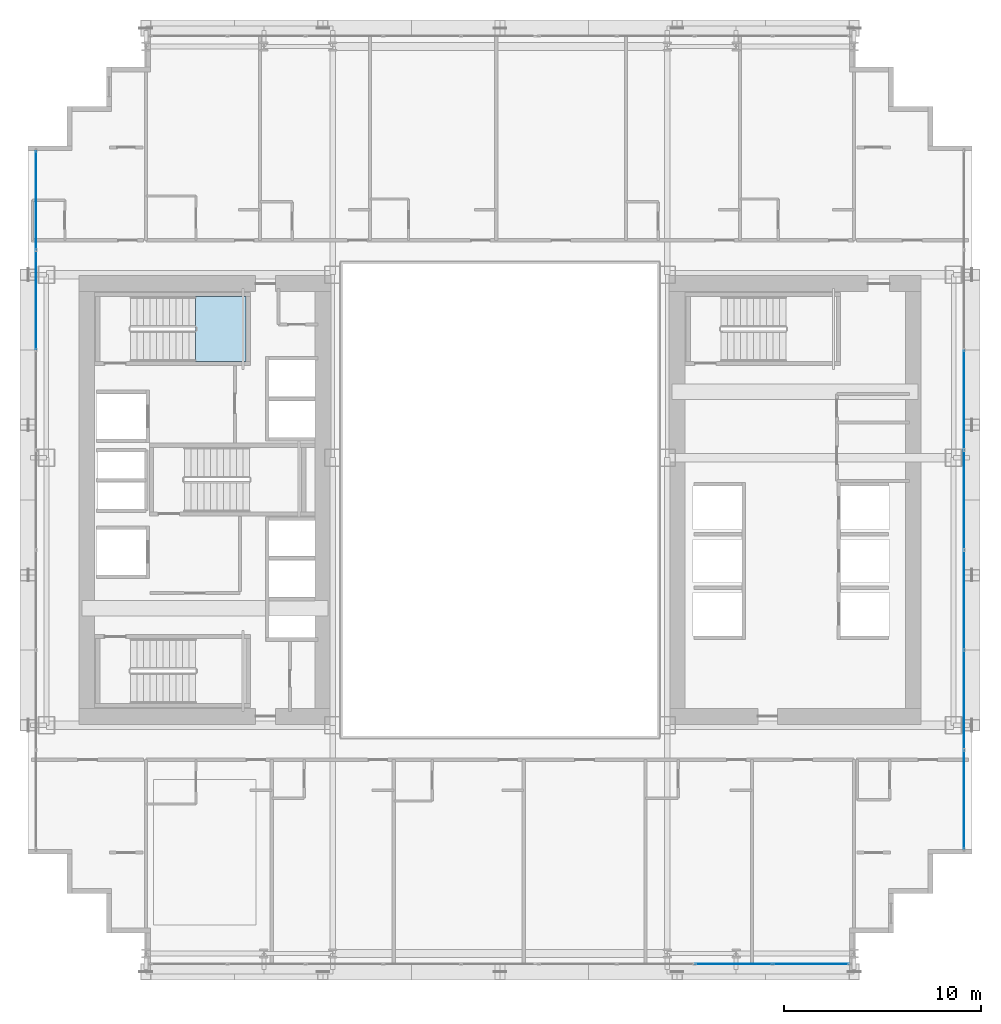
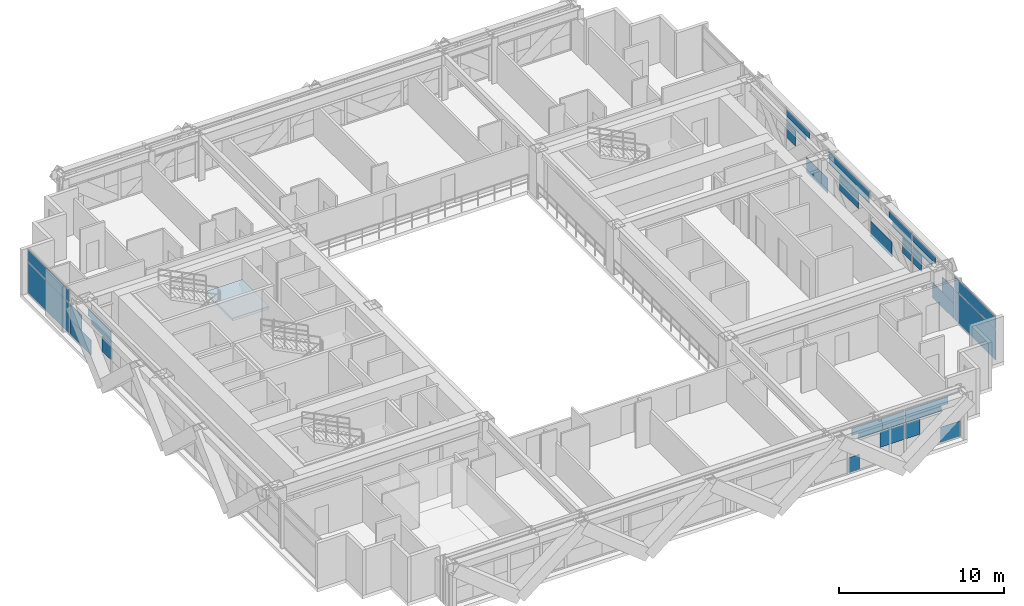
# One storey, part 26 of 38: 33 plates, 1 slab, 4 elements without a shape of their own.
"""IFC4 building model written with IfcOpenShell, lengths in metres."""

from ifc_helpers import new_model, si_unit, direction, frame, origin, origin_2d, place, context, subcontext, project, spatial, polyline, rectangle, outline, extrude, source, transform, mapped, material, layer, layer_set, type_object, element, aggregate, save


model = new_model("IFC4")

# Units and contexts
model_context = context("Model", 3, precision=1e-05, world=origin(), true_north=direction((0.0, 1.0)))
body_context = subcontext(model_context, "Body", "Model", "MODEL_VIEW")
ifc_project = project(units=[si_unit("LENGTHUNIT", "METRE"), si_unit("AREAUNIT", "SQUARE_METRE"), si_unit("VOLUMEUNIT", "CUBIC_METRE"), si_unit("PLANEANGLEUNIT", "RADIAN"), si_unit("MASSUNIT", "GRAM", prefix="KILO")], contexts=[model_context])

# Site, building, storey
site_placement = place(None, origin())
site = spatial("IfcSite", under=ifc_project, at=site_placement, CompositionType="ELEMENT")
building_placement = place(site_placement, origin())
building = spatial("IfcBuilding", under=site, at=building_placement, Name="Ocotamira Hotel", CompositionType="ELEMENT")
storey_placement = place(building_placement, frame((0.0, 0.0, 45.60009765625)))
storey = spatial("IfcBuildingStorey", under=building, at=storey_placement, Name="L10", CompositionType="ELEMENT", Elevation=45.60009765625)

# Stair, slab
ifc_material_1 = material(Name="Concrete C40/50", Category="concrete")
stair_type = type_object("IfcStairType", Name="ST-CORE-1560", PredefinedType="HALF_TURN_STAIR", material=ifc_material_1)
stair_placement = place(storey_placement, origin())
stair = element("IfcStair", 1, at=stair_placement, inside=storey, type_object=stair_type, Name="L10 Exit Stair ST-2", PredefinedType="HALF_TURN_STAIR")
ifc_layer_1 = layer(ifc_material_1, 0.199951171875)
ifc_layer_set_1 = layer_set([ifc_layer_1], Name="Concrete C40/50")
slab_type = type_object("IfcSlabType", Name="SLB-LAND-200", PredefinedType="LANDING", material=ifc_layer_set_1)
slab_placement = place(storey_placement, frame((0.0, 0.0, 1.599853515625)))
slab = element("IfcSlab", 2, at=slab_placement, type_object=slab_type, Name="ST-2 landing 1", PredefinedType="LANDING", context=body_context, shape_type="SweptSolid", body=[
    extrude(outline(polyline([(16.530029296875, 33.050048828125), (19.090087890625, 33.050048828125), (19.090087890625, 36.330078125), (16.530029296875, 36.330078125), (16.530029296875, 33.050048828125)])), origin(), (0.0, 0.0, 1.0), 0.199951171875),
])
aggregate(stair, [slab])

# Curtain wall, plate
ifc_material_2 = material(Name="Anodised pale-metal aluminium and solar glass", Category="aluminium")
ifc_layer_2 = layer(ifc_material_2, 0.179931640625)
ifc_layer_set_2 = layer_set([ifc_layer_2], Name="Anodised pale-metal aluminium and solar glass")
curtain_wall_type = type_object("IfcCurtainWallType", Name="CW-SYS2-Z1", PredefinedType="NOTDEFINED", material=ifc_layer_set_2)
curtain_wall_1_placement = place(storey_placement, origin())
curtain_wall_1 = element("IfcCurtainWall", 3, at=curtain_wall_1_placement, inside=storey, type_object=curtain_wall_type, Name="L10 Curtain Wall CW-2 CW-L10-W", PredefinedType="NOTDEFINED")
ifc_material_3 = material(Name="Double-silver low-E insulated solar glass", Category="glass")
ifc_layer_3 = layer(ifc_material_3, 0.031982421875)
ifc_layer_set_3 = layer_set([ifc_layer_3], Name="Double-silver low-E insulated solar glass")
plate_type = type_object("IfcPlateType", Name="CWP-VISION-32", PredefinedType="CURTAIN_PANEL", material=ifc_layer_set_3)
shared_shape_1 = source(origin(), body_context, "Body", "SweptSolid", [
    extrude(rectangle(XDim=4.9658203125, YDim=0.031982421875, at=origin_2d()), origin(), (0.0, 0.0, 1.0), 2.237548828125),
])
plate_1_placement = place(storey_placement, frame((8.419921875, 41.237060546875, 0.07470703125), z_axis=(0.0, 0.0, 1.0), x_axis=(0.0, 1.0, 0.0)))
plate_1 = element("IfcPlate", 4, at=plate_1_placement, type_object=plate_type, Name="CW-2 panel 7.1", PredefinedType="CURTAIN_PANEL", context=body_context, shape_type="MappedRepresentation", body=[
    mapped(shared_shape_1, transform((0.0, 0.0, 0.0), scale=1.0)),
])

curtain_wall_2_placement = place(storey_placement, origin())
curtain_wall_2 = element("IfcCurtainWall", 5, at=curtain_wall_2_placement, inside=storey, type_object=curtain_wall_type, Name="L10 Curtain Wall CW-2 CW-L10-E", PredefinedType="NOTDEFINED")
plate_2_placement = place(storey_placement, frame((55.580078125, 10.762939453125, 0.07470703125), z_axis=(0.0, 0.0, 1.0), x_axis=(0.0, 1.0, 0.0)))
plate_2 = element("IfcPlate", 6, at=plate_2_placement, type_object=plate_type, Name="CW-2 panel 1.1", PredefinedType="CURTAIN_PANEL", context=body_context, shape_type="MappedRepresentation", body=[
    mapped(shared_shape_1, transform((0.0, 0.0, 0.0), scale=1.0)),
])

# Plate
shared_shape_2 = source(origin(), body_context, "Body", "SweptSolid", [
    extrude(rectangle(XDim=4.9658203125, YDim=0.031982421875, at=origin_2d()), origin(), (0.0, 0.0, 1.0), 0.887451171875),
])
plate_3_placement = place(storey_placement, frame((8.419921875, 41.237060546875, 2.38720703125), z_axis=(0.0, 0.0, 1.0), x_axis=(0.0, 1.0, 0.0)))
plate_3 = element("IfcPlate", 7, at=plate_3_placement, type_object=plate_type, Name="CW-2 panel 7.2", PredefinedType="CURTAIN_PANEL", context=body_context, shape_type="MappedRepresentation", body=[
    mapped(shared_shape_2, transform((0.0, 0.0, 0.0), scale=1.0)),
])

plate_4_placement = place(storey_placement, frame((55.580078125, 10.762939453125, 2.38720703125), z_axis=(0.0, 0.0, 1.0), x_axis=(0.0, 1.0, 0.0)))
plate_4 = element("IfcPlate", 8, at=plate_4_placement, type_object=plate_type, Name="CW-2 panel 1.2", PredefinedType="CURTAIN_PANEL", context=body_context, shape_type="MappedRepresentation", body=[
    mapped(shared_shape_2, transform((0.0, 0.0, 0.0), scale=1.0)),
])

shared_shape_3 = source(origin(), body_context, "Body", "SweptSolid", [
    extrude(rectangle(XDim=2.27978515625, YDim=0.031982421875, at=origin_2d()), origin(), (0.0, 0.0, 1.0), 1.11865234375),
])
plate_5_placement = place(storey_placement, frame((55.580078125, 26.0, 1.193603515625), z_axis=(0.0, 0.0, 1.0), x_axis=(0.0, 1.0, 0.0)))
plate_5 = element("IfcPlate", 9, at=plate_5_placement, type_object=plate_type, Name="CW-2 panel 4.1.1", PredefinedType="CURTAIN_PANEL", context=body_context, shape_type="MappedRepresentation", body=[
    mapped(shared_shape_3, transform((0.0, 0.0, 0.0), scale=1.0)),
])

# Curtain wall, plates
curtain_wall_3_placement = place(storey_placement, origin())
curtain_wall_3 = element("IfcCurtainWall", 10, at=curtain_wall_3_placement, inside=storey, type_object=curtain_wall_type, Name="L10 Curtain Wall CW-2 CW-L10-S1", PredefinedType="NOTDEFINED")
shared_shape_4 = source(origin(), body_context, "Body", "SweptSolid", [
    extrude(rectangle(XDim=1.012451171875, YDim=0.031982421875, at=origin_2d()), origin(), (0.0, 0.0, 1.0), 1.11865234375),
])
plate_6_placement = place(storey_placement, frame((46.390625, 2.419921875, 1.193603515625), z_axis=(0.0, 0.0, 1.0), x_axis=(1.0, 0.0, 0.0)))
plate_6 = element("IfcPlate", 11, at=plate_6_placement, type_object=plate_type, Name="CW-2 panel 9.1.1", PredefinedType="CURTAIN_PANEL", context=body_context, shape_type="MappedRepresentation", body=[
    mapped(shared_shape_4, transform((0.0, 0.0, 0.0), scale=1.0)),
])
shared_shape_5 = source(origin(), body_context, "Body", "SweptSolid", [
    extrude(rectangle(XDim=2.9755859375, YDim=0.031982421875, at=origin_2d()), origin(), (0.0, 0.0, 1.0), 0.5107421875),
])
plate_7_placement = place(storey_placement, frame((47.372314453125, 2.419921875, 2.76416015625), z_axis=(0.0, 0.0, 1.0), x_axis=(1.0, 0.0, 0.0)))
plate_7 = element("IfcPlate", 12, at=plate_7_placement, type_object=plate_type, Name="CW-2 panel 9.2.2", PredefinedType="CURTAIN_PANEL", context=body_context, shape_type="MappedRepresentation", body=[
    mapped(shared_shape_5, transform((0.0, 0.0, 0.0), scale=1.0)),
])
shared_shape_6 = source(origin(), body_context, "Body", "SweptSolid", [
    extrude(rectangle(XDim=2.504638671875, YDim=0.031982421875, at=origin_2d()), origin(), (0.0, 0.0, 1.0), 0.345458984375),
])
plate_8_placement = place(storey_placement, frame((47.13671875, 2.419921875, 2.38720703125), z_axis=(0.0, 0.0, 1.0), x_axis=(1.0, 0.0, 0.0)))
plate_8 = element("IfcPlate", 13, at=plate_8_placement, type_object=plate_type, Name="CW-2 panel 9.2.1", PredefinedType="CURTAIN_PANEL", context=body_context, shape_type="MappedRepresentation", body=[
    mapped(shared_shape_6, transform((0.0, 0.0, 0.0), scale=1.0)),
])
shared_shape_7 = source(origin(), body_context, "Body", "SweptSolid", [
    extrude(rectangle(XDim=1.701416015625, YDim=0.031982421875, at=origin_2d()), origin(), (0.0, 0.0, 1.0), 1.11865234375),
])
plate_9_placement = place(storey_placement, frame((44.953857421875, 2.419921875, 1.193603515625), z_axis=(0.0, 0.0, 1.0), x_axis=(1.0, 0.0, 0.0)))
plate_9 = element("IfcPlate", 14, at=plate_9_placement, type_object=plate_type, Name="CW-2 panel 8.1.2", PredefinedType="CURTAIN_PANEL", context=body_context, shape_type="MappedRepresentation", body=[
    mapped(shared_shape_7, transform((0.0, 0.0, 0.0), scale=1.0)),
])
shared_shape_8 = source(origin(), body_context, "Body", "SweptSolid", [
    extrude(rectangle(XDim=3.193603515625, YDim=0.031982421875, at=origin_2d()), origin(), (0.0, 0.0, 1.0), 0.376708984375),
])
plate_10_placement = place(storey_placement, frame((44.207763671875, 2.419921875, 2.38720703125), z_axis=(0.0, 0.0, 1.0), x_axis=(1.0, 0.0, 0.0)))
plate_10 = element("IfcPlate", 15, at=plate_10_placement, type_object=plate_type, Name="CW-2 panel 8.2.2", PredefinedType="CURTAIN_PANEL", context=body_context, shape_type="MappedRepresentation", body=[
    mapped(shared_shape_8, transform((0.0, 0.0, 0.0), scale=1.0)),
])
shared_shape_9 = source(origin(), body_context, "Body", "SweptSolid", [
    extrude(rectangle(XDim=3.664306640625, YDim=0.031982421875, at=origin_2d()), origin(), (0.0, 0.0, 1.0), 0.5107421875),
])
plate_11_placement = place(storey_placement, frame((43.972412109375, 2.419921875, 2.76416015625), z_axis=(0.0, 0.0, 1.0), x_axis=(1.0, 0.0, 0.0)))
plate_11 = element("IfcPlate", 16, at=plate_11_placement, type_object=plate_type, Name="CW-2 panel 8.2.1", PredefinedType="CURTAIN_PANEL", context=body_context, shape_type="MappedRepresentation", body=[
    mapped(shared_shape_9, transform((0.0, 0.0, 0.0), scale=1.0)),
])

# Plate
shared_shape_10 = source(origin(), body_context, "Body", "SweptSolid", [
    extrude(rectangle(XDim=1.4033203125, YDim=0.031982421875, at=origin_2d()), origin(), (0.0, 0.0, 1.0), 1.11865234375),
])
plate_12_placement = place(storey_placement, frame((8.419921875, 37.97265625, 1.193603515625), z_axis=(0.0, 0.0, 1.0), x_axis=(0.0, 1.0, 0.0)))
plate_12 = element("IfcPlate", 17, at=plate_12_placement, type_object=plate_type, Name="CW-2 panel 6.1.3", PredefinedType="CURTAIN_PANEL", context=body_context, shape_type="MappedRepresentation", body=[
    mapped(shared_shape_10, transform((0.0, 0.0, 0.0), scale=1.0)),
])

plate_13_placement = place(storey_placement, frame((55.580078125, 14.02734375, 1.193603515625), z_axis=(0.0, 0.0, 1.0), x_axis=(0.0, 1.0, 0.0)))
plate_13 = element("IfcPlate", 18, at=plate_13_placement, type_object=plate_type, Name="CW-2 panel 2.1.2", PredefinedType="CURTAIN_PANEL", context=body_context, shape_type="MappedRepresentation", body=[
    mapped(shared_shape_10, transform((0.0, 0.0, 0.0), scale=1.0)),
])

shared_shape_11 = source(origin(), body_context, "Body", "SweptSolid", [
    extrude(rectangle(XDim=1.104736328125, YDim=0.031982421875, at=origin_2d()), origin(), (0.0, 0.0, 1.0), 1.11865234375),
])
plate_14_placement = place(storey_placement, frame((8.419921875, 34.220947265625, 1.193603515625), z_axis=(0.0, 0.0, 1.0), x_axis=(0.0, 1.0, 0.0)))
plate_14 = element("IfcPlate", 19, at=plate_14_placement, type_object=plate_type, Name="CW-2 panel 6.1.1", PredefinedType="CURTAIN_PANEL", context=body_context, shape_type="MappedRepresentation", body=[
    mapped(shared_shape_11, transform((0.0, 0.0, 0.0), scale=1.0)),
])

plate_15_placement = place(storey_placement, frame((55.580078125, 17.779052734375, 1.193603515625), z_axis=(0.0, 0.0, 1.0), x_axis=(0.0, 1.0, 0.0)))
plate_15 = element("IfcPlate", 20, at=plate_15_placement, type_object=plate_type, Name="CW-2 panel 2.1.3", PredefinedType="CURTAIN_PANEL", context=body_context, shape_type="MappedRepresentation", body=[
    mapped(shared_shape_11, transform((0.0, 0.0, 0.0), scale=1.0)),
])

shared_shape_12 = source(origin(), body_context, "Body", "SweptSolid", [
    extrude(rectangle(XDim=2.796630859375, YDim=0.031982421875, at=origin_2d()), origin(), (0.0, 0.0, 1.0), 0.485107421875),
])
plate_16_placement = place(storey_placement, frame((8.419921875, 35.06689453125, 2.78955078125), z_axis=(0.0, 0.0, 1.0), x_axis=(0.0, 1.0, 0.0)))
plate_16 = element("IfcPlate", 21, at=plate_16_placement, type_object=plate_type, Name="CW-2 panel 6.2.2", PredefinedType="CURTAIN_PANEL", context=body_context, shape_type="MappedRepresentation", body=[
    mapped(shared_shape_12, transform((0.0, 0.0, 0.0), scale=1.0)),
])

plate_17_placement = place(storey_placement, frame((55.580078125, 16.93310546875, 2.78955078125), z_axis=(0.0, 0.0, 1.0), x_axis=(0.0, 1.0, 0.0)))
plate_17 = element("IfcPlate", 22, at=plate_17_placement, type_object=plate_type, Name="CW-2 panel 2.2.1", PredefinedType="CURTAIN_PANEL", context=body_context, shape_type="MappedRepresentation", body=[
    mapped(shared_shape_12, transform((0.0, 0.0, 0.0), scale=1.0)),
])

shared_shape_13 = source(origin(), body_context, "Body", "SweptSolid", [
    extrude(rectangle(XDim=2.3701171875, YDim=0.031982421875, at=origin_2d()), origin(), (0.0, 0.0, 1.0), 0.367919921875),
])
plate_18_placement = place(storey_placement, frame((8.419921875, 34.853759765625, 2.38720703125), z_axis=(0.0, 0.0, 1.0), x_axis=(0.0, 1.0, 0.0)))
plate_18 = element("IfcPlate", 23, at=plate_18_placement, type_object=plate_type, Name="CW-2 panel 6.2.1", PredefinedType="CURTAIN_PANEL", context=body_context, shape_type="MappedRepresentation", body=[
    mapped(shared_shape_13, transform((0.0, 0.0, 0.0), scale=1.0)),
])

plate_19_placement = place(storey_placement, frame((55.580078125, 17.146240234375, 2.38720703125), z_axis=(0.0, 0.0, 1.0), x_axis=(0.0, 1.0, 0.0)))
plate_19 = element("IfcPlate", 24, at=plate_19_placement, type_object=plate_type, Name="CW-2 panel 2.2.2", PredefinedType="CURTAIN_PANEL", context=body_context, shape_type="MappedRepresentation", body=[
    mapped(shared_shape_13, transform((0.0, 0.0, 0.0), scale=1.0)),
])

shared_shape_14 = source(origin(), body_context, "Body", "SweptSolid", [
    extrude(rectangle(XDim=1.094970703125, YDim=0.031982421875, at=origin_2d()), origin(), (0.0, 0.0, 1.0), 1.11865234375),
])
plate_20_placement = place(storey_placement, frame((55.580078125, 18.958984375, 1.193603515625), z_axis=(0.0, 0.0, 1.0), x_axis=(0.0, 1.0, 0.0)))
plate_20 = element("IfcPlate", 25, at=plate_20_placement, type_object=plate_type, Name="CW-2 panel 3.1.1", PredefinedType="CURTAIN_PANEL", context=body_context, shape_type="MappedRepresentation", body=[
    mapped(shared_shape_14, transform((0.0, 0.0, 0.0), scale=1.0)),
])

plate_21_placement = place(storey_placement, frame((55.580078125, 33.041015625, 1.193603515625), z_axis=(0.0, 0.0, 1.0), x_axis=(0.0, 1.0, 0.0)))
plate_21 = element("IfcPlate", 26, at=plate_21_placement, type_object=plate_type, Name="CW-2 panel 5.1.2", PredefinedType="CURTAIN_PANEL", context=body_context, shape_type="MappedRepresentation", body=[
    mapped(shared_shape_14, transform((0.0, 0.0, 0.0), scale=1.0)),
])

shared_shape_15 = source(origin(), body_context, "Body", "SweptSolid", [
    extrude(rectangle(XDim=2.360595703125, YDim=0.031982421875, at=origin_2d()), origin(), (0.0, 0.0, 1.0), 0.367919921875),
])
plate_22_placement = place(storey_placement, frame((55.580078125, 19.591796875, 2.38720703125), z_axis=(0.0, 0.0, 1.0), x_axis=(0.0, 1.0, 0.0)))
plate_22 = element("IfcPlate", 27, at=plate_22_placement, type_object=plate_type, Name="CW-2 panel 3.2.1", PredefinedType="CURTAIN_PANEL", context=body_context, shape_type="MappedRepresentation", body=[
    mapped(shared_shape_15, transform((0.0, 0.0, 0.0), scale=1.0)),
])

plate_23_placement = place(storey_placement, frame((55.580078125, 32.408203125, 2.38720703125), z_axis=(0.0, 0.0, 1.0), x_axis=(0.0, 1.0, 0.0)))
plate_23 = element("IfcPlate", 28, at=plate_23_placement, type_object=plate_type, Name="CW-2 panel 5.2.2", PredefinedType="CURTAIN_PANEL", context=body_context, shape_type="MappedRepresentation", body=[
    mapped(shared_shape_15, transform((0.0, 0.0, 0.0), scale=1.0)),
])

shared_shape_16 = source(origin(), body_context, "Body", "SweptSolid", [
    extrude(rectangle(XDim=2.787109375, YDim=0.031982421875, at=origin_2d()), origin(), (0.0, 0.0, 1.0), 0.485107421875),
])
plate_24_placement = place(storey_placement, frame((55.580078125, 19.804931640625, 2.78955078125), z_axis=(0.0, 0.0, 1.0), x_axis=(0.0, 1.0, 0.0)))
plate_24 = element("IfcPlate", 29, at=plate_24_placement, type_object=plate_type, Name="CW-2 panel 3.2.2", PredefinedType="CURTAIN_PANEL", context=body_context, shape_type="MappedRepresentation", body=[
    mapped(shared_shape_16, transform((0.0, 0.0, 0.0), scale=1.0)),
])

plate_25_placement = place(storey_placement, frame((55.580078125, 32.195068359375, 2.78955078125), z_axis=(0.0, 0.0, 1.0), x_axis=(0.0, 1.0, 0.0)))
plate_25 = element("IfcPlate", 30, at=plate_25_placement, type_object=plate_type, Name="CW-2 panel 5.2.1", PredefinedType="CURTAIN_PANEL", context=body_context, shape_type="MappedRepresentation", body=[
    mapped(shared_shape_16, transform((0.0, 0.0, 0.0), scale=1.0)),
])

shared_shape_17 = source(origin(), body_context, "Body", "SweptSolid", [
    extrude(rectangle(XDim=5.005615234375, YDim=0.031982421875, at=origin_2d()), origin(), (0.0, 0.0, 1.0), 0.485107421875),
])
plate_26_placement = place(storey_placement, frame((55.580078125, 26.0, 2.78955078125), z_axis=(0.0, 0.0, 1.0), x_axis=(0.0, 1.0, 0.0)))
plate_26 = element("IfcPlate", 31, at=plate_26_placement, type_object=plate_type, Name="CW-2 panel 4.2.1", PredefinedType="CURTAIN_PANEL", context=body_context, shape_type="MappedRepresentation", body=[
    mapped(shared_shape_17, transform((0.0, 0.0, 0.0), scale=1.0)),
])

shared_shape_18 = source(origin(), body_context, "Body", "SweptSolid", [
    extrude(rectangle(XDim=4.81103515625, YDim=0.031982421875, at=origin_2d()), origin(), (0.0, 0.0, 1.0), 0.40234375),
])
plate_27_placement = place(storey_placement, frame((55.580078125, 26.0, 2.387451171875), z_axis=(0.0, 0.0, 1.0), x_axis=(0.0, 1.0, 0.0)))
plate_27 = element("IfcPlate", 32, at=plate_27_placement, type_object=plate_type, Name="CW-2 panel 4.2.2", PredefinedType="CURTAIN_PANEL", context=body_context, shape_type="MappedRepresentation", body=[
    mapped(shared_shape_18, transform((0.0, 0.0, 0.0), scale=1.0)),
])

shared_shape_19 = source(origin(), body_context, "Body", "SweptSolid", [
    extrude(rectangle(XDim=1.382568359375, YDim=0.031982421875, at=origin_2d()), origin(), (0.0, 0.0, 1.0), 1.118896484375),
])
plate_28_placement = place(storey_placement, frame((49.02880859375, 2.419921875, 0.07470703125), z_axis=(0.0, 0.0, 1.0), x_axis=(1.0, 0.0, 0.0)))
plate_28 = element("IfcPlate", 33, at=plate_28_placement, type_object=plate_type, Name="CW-2 panel 9.1.2", PredefinedType="CURTAIN_PANEL", context=body_context, shape_type="MappedRepresentation", body=[
    mapped(shared_shape_19, transform((0.0, 0.0, 0.0), scale=1.0)),
])

shared_shape_20 = source(origin(), body_context, "Body", "SweptSolid", [
    extrude(rectangle(XDim=0.733642578125, YDim=0.031982421875, at=origin_2d()), origin(), (0.0, 0.0, 1.0), 1.118896484375),
])
plate_29_placement = place(storey_placement, frame((42.295654296875, 2.419921875, 0.07470703125), z_axis=(0.0, 0.0, 1.0), x_axis=(1.0, 0.0, 0.0)))
plate_29 = element("IfcPlate", 34, at=plate_29_placement, type_object=plate_type, Name="CW-2 panel 8.1.1", PredefinedType="CURTAIN_PANEL", context=body_context, shape_type="MappedRepresentation", body=[
    mapped(shared_shape_20, transform((0.0, 0.0, 0.0), scale=1.0)),
])

aggregate(curtain_wall_3, [plate_29, plate_9, plate_11, plate_10, plate_6, plate_28, plate_8, plate_7])

shared_shape_21 = source(origin(), body_context, "Body", "SweptSolid", [
    extrude(rectangle(XDim=2.58935546875, YDim=0.031982421875, at=origin_2d()), origin(), (0.0, 0.0, 1.0), 1.118896484375),
])
plate_30_placement = place(storey_placement, frame((8.419921875, 37.379638671875, 0.07470703125), z_axis=(0.0, 0.0, 1.0), x_axis=(0.0, 1.0, 0.0)))
plate_30 = element("IfcPlate", 35, at=plate_30_placement, type_object=plate_type, Name="CW-2 panel 6.1.2", PredefinedType="CURTAIN_PANEL", context=body_context, shape_type="MappedRepresentation", body=[
    mapped(shared_shape_21, transform((0.0, 0.0, 0.0), scale=1.0)),
])

aggregate(curtain_wall_1, [plate_14, plate_30, plate_12, plate_18, plate_16, plate_1, plate_3])

plate_31_placement = place(storey_placement, frame((55.580078125, 14.620361328125, 0.07470703125), z_axis=(0.0, 0.0, 1.0), x_axis=(0.0, 1.0, 0.0)))
plate_31 = element("IfcPlate", 36, at=plate_31_placement, type_object=plate_type, Name="CW-2 panel 2.1.1", PredefinedType="CURTAIN_PANEL", context=body_context, shape_type="MappedRepresentation", body=[
    mapped(shared_shape_21, transform((0.0, 0.0, 0.0), scale=1.0)),
])

shared_shape_22 = source(origin(), body_context, "Body", "SweptSolid", [
    extrude(rectangle(XDim=2.59912109375, YDim=0.031982421875, at=origin_2d()), origin(), (0.0, 0.0, 1.0), 1.118896484375),
])
plate_32_placement = place(storey_placement, frame((55.580078125, 22.11767578125, 0.07470703125), z_axis=(0.0, 0.0, 1.0), x_axis=(0.0, 1.0, 0.0)))
plate_32 = element("IfcPlate", 37, at=plate_32_placement, type_object=plate_type, Name="CW-2 panel 3.1.2", PredefinedType="CURTAIN_PANEL", context=body_context, shape_type="MappedRepresentation", body=[
    mapped(shared_shape_22, transform((0.0, 0.0, 0.0), scale=1.0)),
])

plate_33_placement = place(storey_placement, frame((55.580078125, 29.88232421875, 0.07470703125), z_axis=(0.0, 0.0, 1.0), x_axis=(0.0, 1.0, 0.0)))
plate_33 = element("IfcPlate", 38, at=plate_33_placement, type_object=plate_type, Name="CW-2 panel 5.1.1", PredefinedType="CURTAIN_PANEL", context=body_context, shape_type="MappedRepresentation", body=[
    mapped(shared_shape_22, transform((0.0, 0.0, 0.0), scale=1.0)),
])

aggregate(curtain_wall_2, [plate_2, plate_4, plate_31, plate_13, plate_15, plate_17, plate_19, plate_20, plate_32, plate_22, plate_24, plate_5, plate_26, plate_27, plate_33, plate_21, plate_25, plate_23])

save(model, "model.ifc")
